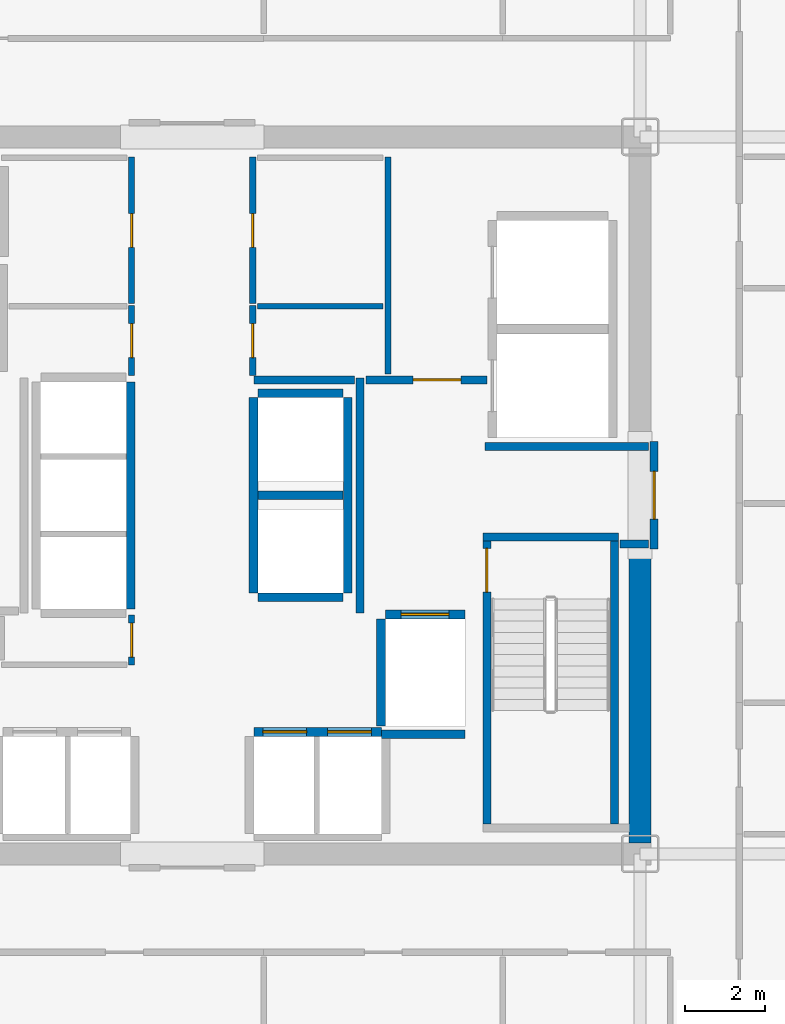
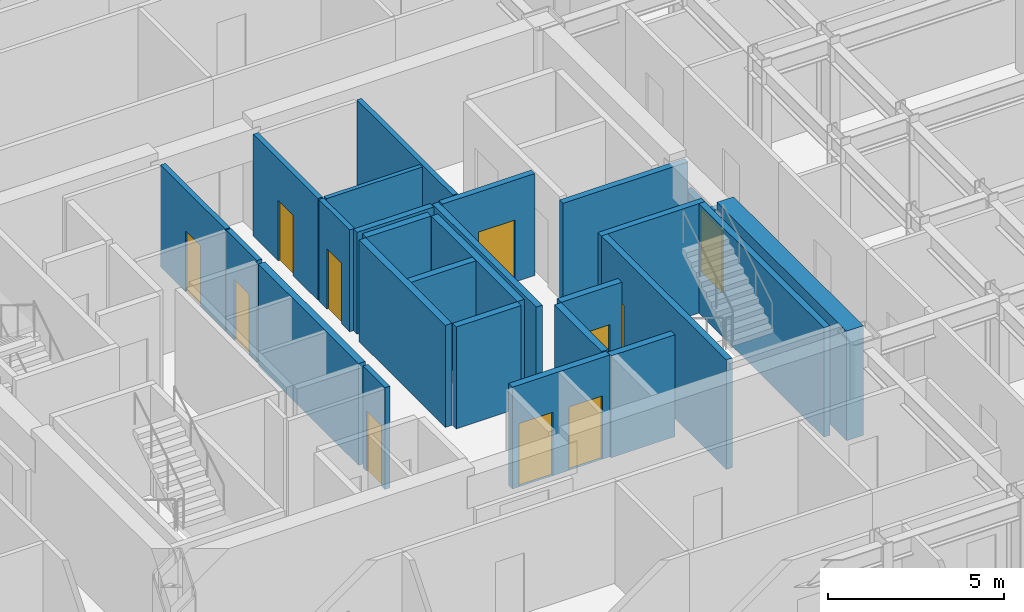
# One storey, part 21 of 26: 27 walls, 11 doors, 11 openings.
"""IFC4 building model written with IfcOpenShell, lengths in metres."""

from ifc_helpers import new_model, si_unit, direction, frame, frame_2d, origin, place, context, subcontext, project, spatial, rectangle, extrude, source, transform, mapped, material, layer, layer_set, type_object, element, fill, save


model = new_model("IFC4")

# Units and contexts
model_context = context("Model", 3, precision=1e-05, world=origin(), true_north=direction((0.0, 1.0)))
body_context = subcontext(model_context, "Body", "Model", "MODEL_VIEW")
ifc_project = project(units=[si_unit("LENGTHUNIT", "METRE"), si_unit("AREAUNIT", "SQUARE_METRE"), si_unit("VOLUMEUNIT", "CUBIC_METRE"), si_unit("PLANEANGLEUNIT", "RADIAN"), si_unit("MASSUNIT", "GRAM", prefix="KILO")], contexts=[model_context])

# Site, building, storey
site_placement = place(None, origin())
site = spatial("IfcSite", under=ifc_project, at=site_placement, CompositionType="ELEMENT")
building_placement = place(site_placement, origin())
building = spatial("IfcBuilding", under=site, at=building_placement, Name="Nefas-Gora Pilgrimage Tower", CompositionType="ELEMENT")
storey_placement = place(building_placement, frame((0.0, 0.0, 171.60009765625)))
storey = spatial("IfcBuildingStorey", under=building, at=storey_placement, Name="L42", CompositionType="ELEMENT", Elevation=171.60009765625)

# Walls
ifc_material_1 = material(Name="Concrete C60/75", Category="concrete")
ifc_layer_1 = layer(ifc_material_1, 0.550048828125)
ifc_layer_set_1 = layer_set([ifc_layer_1], Name="Concrete C60/75")
wall_type_1 = type_object("IfcWallType", Name="SW-CORE-550", PredefinedType="SHEAR", material=ifc_layer_set_1)
shared_shape_1 = source(origin(), body_context, "Body", "SweptSolid", [
    extrude(rectangle(XDim=7.375, YDim=0.550048828125, at=frame_2d((3.6875, 0.0))), origin(), (0.0, 0.0, 1.0), 3.7998046875),
])
wall_1_placement = place(storey_placement, frame((11.25, -8.72509765625, 0.0), z_axis=(0.0, 0.0, 1.0), x_axis=(0.0, 1.0, 0.0)))
element("IfcWall", 1, at=wall_1_placement, inside=storey, type_object=wall_type_1, Name="L42 Core Shear Wall E-South", PredefinedType="SHEAR", context=body_context, shape_type="MappedRepresentation", body=[
    mapped(shared_shape_1, transform((0.0, 0.0, 0.0), x_axis=(1.0, 0.0, 0.0), y_axis=(0.0, 1.0, 0.0), z_axis=(0.0, 0.0, 1.0), scale=1.0)),
])
ifc_material_2 = material(Name="Concrete C45/55", Category="concrete")
ifc_layer_2 = layer(ifc_material_2, 0.199951171875)
ifc_layer_set_2 = layer_set([ifc_layer_2], Name="Concrete C45/55")
wall_type_2 = type_object("IfcWallType", Name="IW-STAIR-200", PredefinedType="SOLIDWALL", material=ifc_layer_set_2)
shared_shape_2 = source(origin(), body_context, "Body", "SweptSolid", [
    extrude(rectangle(XDim=3.39990234375, YDim=0.199951171875, at=frame_2d((1.699951171875, 0.0))), origin(), (0.0, 0.0, 1.0), 3.7998046875),
])
wall_2_placement = place(storey_placement, frame((7.300048828125, -1.050048828125, 0.0), z_axis=(0.0, 0.0, 1.0), x_axis=(1.0, 0.0, 0.0)))
element("IfcWall", 2, at=wall_2_placement, inside=storey, type_object=wall_type_2, Name="L42 Stairwell Shear Wall ST-02-near", PredefinedType="SOLIDWALL", context=body_context, shape_type="MappedRepresentation", body=[
    mapped(shared_shape_2, transform((0.0, 0.0, 0.0), x_axis=(1.0, 0.0, 0.0), y_axis=(0.0, 1.0, 0.0), z_axis=(0.0, 0.0, 1.0), scale=1.0)),
])

# Wall, opening, door
shared_shape_3 = source(origin(), body_context, "Body", "SweptSolid", [
    extrude(rectangle(XDim=7.10009765625, YDim=0.199951171875, at=frame_2d((3.550048828125, 0.0))), origin(), (0.0, 0.0, 1.0), 3.7998046875),
])
wall_3_placement = place(storey_placement, frame((7.39990234375, -1.14990234375, 0.0), z_axis=(0.0, 0.0, 1.0), x_axis=(0.0, -1.0, 0.0)))
wall_3 = element("IfcWall", 3, at=wall_3_placement, inside=storey, type_object=wall_type_2, Name="L42 Stairwell Shear Wall ST-02-left", PredefinedType="SOLIDWALL", context=body_context, shape_type="MappedRepresentation", body=[
    mapped(shared_shape_3, transform((0.0, 0.0, 0.0), x_axis=(1.0, 0.0, 0.0), y_axis=(0.0, 1.0, 0.0), z_axis=(0.0, 0.0, 1.0), scale=1.0)),
])
opening_1_placement = place(wall_3_placement, frame((0.179931640625, 0.0, 0.0)))
opening_1 = element("IfcOpeningElement", 4, at=opening_1_placement, cuts=wall_3, Name="Opening ID-ST1", PredefinedType="OPENING", context=body_context, shape_type="SweptSolid", body=[
    extrude(rectangle(XDim=1.10009765625, YDim=2.14990234375, at=frame_2d((0.550048828125, 1.074951171875))), frame((0.0, 0.10986328125, 0.0), z_axis=(0.0, -1.0, 0.0), x_axis=(1.0, 0.0, 0.0)), (0.0, 0.0, 1.0), 0.219970703125),
])
ifc_material_3 = material(Name="Painted galvanised steel fire stair door", Category="steel")
door_type_1 = type_object("IfcDoorType", Name="DR-INT-STAIR-1100", OperationType="NOTDEFINED", PredefinedType="DOOR", material=ifc_material_3)
shared_shape_4 = source(origin(), body_context, "Body", "SweptSolid", [
    extrude(rectangle(XDim=1.10009765625, YDim=2.14990234375, at=frame_2d((0.550048828125, 1.074951171875))), frame((0.0, 0.02490234375, 0.0), z_axis=(0.0, -1.0, 0.0), x_axis=(1.0, 0.0, 0.0)), (0.0, 0.0, 1.0), 0.050048828125),
])
door_1_placement = place(opening_1_placement, origin())
door_1 = element("IfcDoor", 5, at=door_1_placement, inside=storey, type_object=door_type_1, Name="L42 Protected Exit Stair Door ST-02", OperationType="SINGLE_SWING_LEFT", OverallHeight=2.14990234375, OverallWidth=1.10009765625, PredefinedType="DOOR", context=body_context, shape_type="MappedRepresentation", body=[
    mapped(shared_shape_4, transform((0.0, 0.0, 0.0), x_axis=(1.0, 0.0, 0.0), y_axis=(0.0, 1.0, 0.0), z_axis=(0.0, 0.0, 1.0), scale=1.0)),
])
fill(opening_1, door_1)

# Wall
wall_4_placement = place(storey_placement, frame((10.60009765625, -1.14990234375, 0.0), z_axis=(0.0, 0.0, 1.0), x_axis=(0.0, -1.0, 0.0)))
element("IfcWall", 6, at=wall_4_placement, inside=storey, type_object=wall_type_2, Name="L42 Stairwell Shear Wall ST-02-right", PredefinedType="SOLIDWALL", context=body_context, shape_type="MappedRepresentation", body=[
    mapped(shared_shape_3, transform((0.0, 0.0, 0.0), x_axis=(1.0, 0.0, 0.0), y_axis=(0.0, 1.0, 0.0), z_axis=(0.0, 0.0, 1.0), scale=1.0)),
])

# Wall, opening, door
ifc_material_4 = material(Name="Concrete C40/50", Category="concrete")
ifc_layer_3 = layer(ifc_material_4, 0.219970703125)
ifc_layer_set_3 = layer_set([ifc_layer_3], Name="Concrete C40/50")
wall_type_3 = type_object("IfcWallType", Name="IW-SHAFT-220", PredefinedType="SOLIDWALL", material=ifc_layer_set_3)
shared_shape_5 = source(origin(), body_context, "Body", "SweptSolid", [
    extrude(rectangle(XDim=2.0, YDim=0.219970703125, at=frame_2d((1.0, 0.0))), origin(), (0.0, 0.0, 1.0), 3.534912109375),
])
wall_5_placement = place(storey_placement, frame((6.85009765625, -2.989990234375, 0.0), z_axis=(0.0, 0.0, 1.0), x_axis=(-1.0, 0.0, 0.0)))
wall_5 = element("IfcWall", 7, at=wall_5_placement, inside=storey, type_object=wall_type_3, Name="L42 Hoistway Wall FFL-02-N", PredefinedType="SOLIDWALL", context=body_context, shape_type="MappedRepresentation", body=[
    mapped(shared_shape_5, transform((0.0, 0.0, 0.0), x_axis=(1.0, 0.0, 0.0), y_axis=(0.0, 1.0, 0.0), z_axis=(0.0, 0.0, 1.0), scale=1.0)),
])
opening_2_placement = place(wall_5_placement, frame((0.39990234375, 0.0, 0.0)))
opening_2 = element("IfcOpeningElement", 8, at=opening_2_placement, cuts=wall_5, Name="Opening LD-FF", PredefinedType="OPENING", context=body_context, shape_type="SweptSolid", body=[
    extrude(rectangle(XDim=1.199951171875, YDim=2.199951171875, at=frame_2d((0.60009765625, 1.10009765625))), frame((0.0, 0.119873046875, 0.0), z_axis=(0.0, -1.0, 0.0), x_axis=(1.0, 0.0, 0.0)), (0.0, 0.0, 1.0), 0.239990234375),
])
ifc_material_5 = material(Name="Fire-service sliding lift landing door")
door_type_2 = type_object("IfcDoorType", Name="DR-LIFT-FSAE-1200", OperationType="SLIDING_TO_LEFT", PredefinedType="DOOR", material=ifc_material_5)
shared_shape_6 = source(origin(), body_context, "Body", "SweptSolid", [
    extrude(rectangle(XDim=1.199951171875, YDim=2.199951171875, at=frame_2d((0.60009765625, 1.10009765625))), frame((0.0, 0.02490234375, 0.0), z_axis=(0.0, -1.0, 0.0), x_axis=(1.0, 0.0, 0.0)), (0.0, 0.0, 1.0), 0.050048828125),
])
door_2_placement = place(opening_2_placement, origin())
door_2 = element("IfcDoor", 9, at=door_2_placement, inside=storey, type_object=door_type_2, Name="L42 Sliding Lift Landing Door FFL-02", OperationType="SLIDING_TO_LEFT", OverallHeight=2.199951171875, OverallWidth=1.199951171875, PredefinedType="DOOR", context=body_context, shape_type="MappedRepresentation", body=[
    mapped(shared_shape_6, transform((0.0, 0.0, 0.0), x_axis=(1.0, 0.0, 0.0), y_axis=(0.0, 1.0, 0.0), z_axis=(0.0, 0.0, 1.0), scale=1.0)),
])
fill(opening_2, door_2)

# Wall
shared_shape_7 = source(origin(), body_context, "Body", "SweptSolid", [
    extrude(rectangle(XDim=2.679931640625, YDim=0.219970703125, at=frame_2d((1.33984375, 0.0))), origin(), (0.0, 0.0, 1.0), 3.534912109375),
])
wall_6_placement = place(storey_placement, frame((4.739990234375, -3.110107421875, 0.0), z_axis=(0.0, 0.0, 1.0), x_axis=(0.0, -1.0, 0.0)))
element("IfcWall", 10, at=wall_6_placement, inside=storey, type_object=wall_type_3, Name="L42 Hoistway Wall FFL-02-W", PredefinedType="SOLIDWALL", context=body_context, shape_type="MappedRepresentation", body=[
    mapped(shared_shape_7, transform((0.0, 0.0, 0.0), x_axis=(1.0, 0.0, 0.0), y_axis=(0.0, 1.0, 0.0), z_axis=(0.0, 0.0, 1.0), scale=1.0)),
])

# Wall, openings, doors
shared_shape_8 = source(origin(), body_context, "Body", "SweptSolid", [
    extrude(rectangle(XDim=3.199951171875, YDim=0.219970703125, at=frame_2d((1.60009765625, 0.0))), origin(), (0.0, 0.0, 1.0), 3.534912109375),
])
wall_7_placement = place(storey_placement, frame((4.75, -5.93994140625, 0.0), z_axis=(0.0, 0.0, 1.0), x_axis=(-1.0, 0.0, 0.0)))
wall_7 = element("IfcWall", 11, at=wall_7_placement, inside=storey, type_object=wall_type_3, Name="L42 Hoistway Wall PL2-E-N", PredefinedType="SOLIDWALL", context=body_context, shape_type="MappedRepresentation", body=[
    mapped(shared_shape_8, transform((0.0, 0.0, 0.0), x_axis=(1.0, 0.0, 0.0), y_axis=(0.0, 1.0, 0.0), z_axis=(0.0, 0.0, 1.0), scale=1.0)),
])
opening_3_placement = place(wall_7_placement, frame((1.875, 0.0, 0.0)))
opening_3 = element("IfcOpeningElement", 12, at=opening_3_placement, cuts=wall_7, Name="Opening LD-01", PredefinedType="OPENING", context=body_context, shape_type="SweptSolid", body=[
    extrude(rectangle(XDim=1.10009765625, YDim=2.199951171875, at=frame_2d((0.550048828125, 1.10009765625))), frame((0.0, 0.119873046875, 0.0), z_axis=(0.0, -1.0, 0.0), x_axis=(1.0, 0.0, 0.0)), (0.0, 0.0, 1.0), 0.239990234375),
])
opening_4_placement = place(wall_7_placement, frame((0.25, 0.0, 0.0)))
opening_4 = element("IfcOpeningElement", 13, at=opening_4_placement, cuts=wall_7, Name="Opening LD-01", PredefinedType="OPENING", context=body_context, shape_type="SweptSolid", body=[
    extrude(rectangle(XDim=1.10009765625, YDim=2.199951171875, at=frame_2d((0.550048828125, 1.10009765625))), frame((0.0, 0.119873046875, 0.0), z_axis=(0.0, -1.0, 0.0), x_axis=(1.0, 0.0, 0.0)), (0.0, 0.0, 1.0), 0.239990234375),
])
ifc_material_6 = material(Name="Brushed stainless sliding lift landing door")
door_type_3 = type_object("IfcDoorType", Name="DR-LIFT-PASS-1100", OperationType="DOUBLE_DOOR_SLIDING", PredefinedType="DOOR", material=ifc_material_6)
shared_shape_9 = source(origin(), body_context, "Body", "SweptSolid", [
    extrude(rectangle(XDim=1.10009765625, YDim=2.199951171875, at=frame_2d((0.550048828125, 1.10009765625))), frame((0.0, 0.02490234375, 0.0), z_axis=(0.0, -1.0, 0.0), x_axis=(1.0, 0.0, 0.0)), (0.0, 0.0, 1.0), 0.050048828125),
])
door_3_placement = place(opening_3_placement, origin())
door_3 = element("IfcDoor", 14, at=door_3_placement, inside=storey, type_object=door_type_3, Name="L42 Sliding Lift Landing Door PL2-03", OperationType="DOUBLE_DOOR_SLIDING", OverallHeight=2.199951171875, OverallWidth=1.10009765625, PredefinedType="DOOR", context=body_context, shape_type="MappedRepresentation", body=[
    mapped(shared_shape_9, transform((0.0, 0.0, 0.0), x_axis=(1.0, 0.0, 0.0), y_axis=(0.0, 1.0, 0.0), z_axis=(0.0, 0.0, 1.0), scale=1.0)),
])
fill(opening_3, door_3)
door_4_placement = place(opening_4_placement, origin())
door_4 = element("IfcDoor", 15, at=door_4_placement, inside=storey, type_object=door_type_3, Name="L42 Sliding Lift Landing Door PL2-04", OperationType="DOUBLE_DOOR_SLIDING", OverallHeight=2.199951171875, OverallWidth=1.10009765625, PredefinedType="DOOR", context=body_context, shape_type="MappedRepresentation", body=[
    mapped(shared_shape_9, transform((0.0, 0.0, 0.0), x_axis=(1.0, 0.0, 0.0), y_axis=(0.0, 1.0, 0.0), z_axis=(0.0, 0.0, 1.0), scale=1.0)),
])
fill(opening_4, door_4)

# Walls
shared_shape_10 = source(origin(), body_context, "Body", "SweptSolid", [
    extrude(rectangle(XDim=5.7001953125, YDim=0.219970703125, at=frame_2d((2.85009765625, 0.0))), origin(), (0.0, 0.0, 1.0), 3.534912109375),
])
wall_8_placement = place(storey_placement, frame((-1.5400390625, -2.85009765625, 0.0), z_axis=(0.0, 0.0, 1.0), x_axis=(0.0, 1.0, 0.0)))
element("IfcWall", 16, at=wall_8_placement, inside=storey, type_object=wall_type_3, Name="L42 Hoistway Wall PL3-01-03-E", PredefinedType="SOLIDWALL", context=body_context, shape_type="MappedRepresentation", body=[
    mapped(shared_shape_10, transform((0.0, 0.0, 0.0), x_axis=(1.0, 0.0, 0.0), y_axis=(0.0, 1.0, 0.0), z_axis=(0.0, 0.0, 1.0), scale=1.0)),
])
shared_shape_11 = source(origin(), body_context, "Body", "SweptSolid", [
    extrude(rectangle(XDim=2.130126953125, YDim=0.219970703125, at=frame_2d((1.06494140625, 0.0))), origin(), (0.0, 0.0, 1.0), 3.534912109375),
])
for number, where, z_axis, x_axis, name in (
    (17, (1.659912109375, -2.56005859375, 0.0), (0.0, 0.0, 1.0), (1.0, 0.0, 0.0), "L42 Hoistway Wall OBS-01-S"),
    (18, (1.659912109375, 0.0, 0.0), (0.0, 0.0, 1.0), (1.0, 0.0, 0.0), "L42 Hoistway Wall OBS-01-02-DIV"),
    (19, (3.7900390625, 2.56005859375, 0.0), (0.0, 0.0, 1.0), (-1.0, 0.0, 0.0), "L42 Hoistway Wall OBS-02-N"),
):
    element("IfcWall", number, at=place(storey_placement, frame(where, z_axis=z_axis, x_axis=x_axis)), inside=storey, type_object=wall_type_3, Name=name, PredefinedType="SOLIDWALL", context=body_context, shape_type="MappedRepresentation", body=[
        mapped(shared_shape_11, transform((0.0, 0.0, 0.0), x_axis=(1.0, 0.0, 0.0), y_axis=(0.0, 1.0, 0.0), z_axis=(0.0, 0.0, 1.0), scale=1.0)),
    ])
shared_shape_12 = source(origin(), body_context, "Body", "SweptSolid", [
    extrude(rectangle(XDim=4.89990234375, YDim=0.219970703125, at=frame_2d((2.449951171875, 0.0))), origin(), (0.0, 0.0, 1.0), 3.534912109375),
])
for number, where, z_axis, x_axis, name in (
    (20, (1.5400390625, 2.449951171875, 0.0), (0.0, 0.0, 1.0), (0.0, -1.0, 0.0), "L42 Hoistway Wall OBS-01-02-W"),
    (21, (3.909912109375, -2.449951171875, 0.0), (0.0, 0.0, 1.0), (0.0, 1.0, 0.0), "L42 Hoistway Wall OBS-01-02-E"),
):
    element("IfcWall", number, at=place(storey_placement, frame(where, z_axis=z_axis, x_axis=x_axis)), inside=storey, type_object=wall_type_3, Name=name, PredefinedType="SOLIDWALL", context=body_context, shape_type="MappedRepresentation", body=[
        mapped(shared_shape_12, transform((0.0, 0.0, 0.0), x_axis=(1.0, 0.0, 0.0), y_axis=(0.0, 1.0, 0.0), z_axis=(0.0, 0.0, 1.0), scale=1.0)),
    ])
shared_shape_13 = source(origin(), body_context, "Body", "SweptSolid", [
    extrude(rectangle(XDim=2.09521484375, YDim=0.219970703125, at=frame_2d((1.047607421875, 0.0))), origin(), (0.0, 0.0, 1.0), 3.534912109375),
])
wall_9_placement = place(storey_placement, frame((4.7548828125, -6.0, 0.0), z_axis=(0.0, 0.0, 1.0), x_axis=(1.0, 0.0, 0.0)))
element("IfcWall", 22, at=wall_9_placement, inside=storey, type_object=wall_type_3, Name="L42 Riser Shaft Wall 3", PredefinedType="SOLIDWALL", context=body_context, shape_type="MappedRepresentation", body=[
    mapped(shared_shape_13, transform((0.0, 0.0, 0.0), x_axis=(1.0, 0.0, 0.0), y_axis=(0.0, 1.0, 0.0), z_axis=(0.0, 0.0, 1.0), scale=1.0)),
])
ifc_material_7 = material(Name="Gypsum fire-rated shaftwall")
ifc_layer_4 = layer(ifc_material_7, 0.199951171875)
ifc_layer_set_4 = layer_set([ifc_layer_4], Name="Gypsum fire-rated shaftwall")
wall_type_4 = type_object("IfcWallType", Name="IW-FFLOB-200", PredefinedType="PARTITIONING", material=ifc_layer_set_4)
shared_shape_14 = source(origin(), body_context, "Body", "SweptSolid", [
    extrude(rectangle(XDim=5.89990234375, YDim=0.199951171875, at=frame_2d((2.949951171875, 0.0))), origin(), (0.0, 0.0, 1.0), 3.534912109375),
])
wall_10_placement = place(storey_placement, frame((4.219970703125, -2.949951171875, 0.0), z_axis=(0.0, 0.0, 1.0), x_axis=(0.0, 1.0, 0.0)))
element("IfcWall", 23, at=wall_10_placement, inside=storey, type_object=wall_type_4, Name="L42 FF Lobby East Inner Wall Wall 10", PredefinedType="PARTITIONING", context=body_context, shape_type="MappedRepresentation", body=[
    mapped(shared_shape_14, transform((0.0, 0.0, 0.0), x_axis=(1.0, 0.0, 0.0), y_axis=(0.0, 1.0, 0.0), z_axis=(0.0, 0.0, 1.0), scale=1.0)),
])
shared_shape_15 = source(origin(), body_context, "Body", "SweptSolid", [
    extrude(rectangle(XDim=0.719970703125, YDim=0.199951171875, at=frame_2d((0.35986328125, 0.0))), origin(), (0.0, 0.0, 1.0), 3.534912109375),
])
wall_11_placement = place(storey_placement, frame((10.739990234375, -1.219970703125, 0.0), z_axis=(0.0, 0.0, 1.0), x_axis=(1.0, 0.0, 0.0)))
element("IfcWall", 24, at=wall_11_placement, inside=storey, type_object=wall_type_4, Name="L42 FF Lobby East Throat S Wall 14", PredefinedType="PARTITIONING", context=body_context, shape_type="MappedRepresentation", body=[
    mapped(shared_shape_15, transform((0.0, 0.0, 0.0), x_axis=(1.0, 0.0, 0.0), y_axis=(0.0, 1.0, 0.0), z_axis=(0.0, 0.0, 1.0), scale=1.0)),
])

# Wall, opening, door
shared_shape_16 = source(origin(), body_context, "Body", "SweptSolid", [
    extrude(rectangle(XDim=3.039794921875, YDim=0.199951171875, at=frame_2d((1.52001953125, 0.0))), origin(), (0.0, 0.0, 1.0), 3.534912109375),
])
wall_12_placement = place(storey_placement, frame((4.360107421875, 2.89990234375, 0.0), z_axis=(0.0, 0.0, 1.0), x_axis=(1.0, 0.0, 0.0)))
wall_12 = element("IfcWall", 25, at=wall_12_placement, inside=storey, type_object=wall_type_4, Name="L42 FF Lobby East North Wall Wall 12", PredefinedType="PARTITIONING", context=body_context, shape_type="MappedRepresentation", body=[
    mapped(shared_shape_16, transform((0.0, 0.0, 0.0), x_axis=(1.0, 0.0, 0.0), y_axis=(0.0, 1.0, 0.0), z_axis=(0.0, 0.0, 1.0), scale=1.0)),
])
opening_5_placement = place(wall_12_placement, frame((1.18994140625, 0.0, 0.0)))
opening_5 = element("IfcOpeningElement", 26, at=opening_5_placement, cuts=wall_12, Name="Opening ID-PL1", PredefinedType="OPENING", context=body_context, shape_type="SweptSolid", body=[
    extrude(rectangle(XDim=1.199951171875, YDim=2.14990234375, at=frame_2d((0.60009765625, 1.074951171875))), frame((0.0, 0.10986328125, 0.0), z_axis=(0.0, -1.0, 0.0), x_axis=(1.0, 0.0, 0.0)), (0.0, 0.0, 1.0), 0.219970703125),
])
ifc_material_8 = material(Name="Heavy-duty steel plant room fire door", Category="steel")
door_type_4 = type_object("IfcDoorType", Name="DR-INT-PLANT-1200", OperationType="NOTDEFINED", PredefinedType="DOOR", material=ifc_material_8)
shared_shape_17 = source(origin(), body_context, "Body", "SweptSolid", [
    extrude(rectangle(XDim=1.199951171875, YDim=2.14990234375, at=frame_2d((0.60009765625, 1.074951171875))), frame((0.0, 0.02490234375, 0.0), z_axis=(0.0, -1.0, 0.0), x_axis=(1.0, 0.0, 0.0)), (0.0, 0.0, 1.0), 0.050048828125),
])
door_5_placement = place(opening_5_placement, origin())
door_5 = element("IfcDoor", 27, at=door_5_placement, inside=storey, type_object=door_type_4, Name="L42 Service Lift Lobby Door Door 4", OperationType="SINGLE_SWING_LEFT", OverallHeight=2.14990234375, OverallWidth=1.199951171875, PredefinedType="DOOR", context=body_context, shape_type="MappedRepresentation", body=[
    mapped(shared_shape_17, transform((0.0, 0.0, 0.0), x_axis=(1.0, 0.0, 0.0), y_axis=(0.0, 1.0, 0.0), z_axis=(0.0, 0.0, 1.0), scale=1.0)),
])
fill(opening_5, door_5)

# Wall
shared_shape_18 = source(origin(), body_context, "Body", "SweptSolid", [
    extrude(rectangle(XDim=4.10986328125, YDim=0.199951171875, at=frame_2d((2.054931640625, 0.0))), origin(), (0.0, 0.0, 1.0), 3.534912109375),
])
wall_13_placement = place(storey_placement, frame((7.35009765625, 1.219970703125, 0.0), z_axis=(0.0, 0.0, 1.0), x_axis=(1.0, 0.0, 0.0)))
element("IfcWall", 28, at=wall_13_placement, inside=storey, type_object=wall_type_4, Name="L42 FF Lobby East Throat N Wall 13", PredefinedType="PARTITIONING", context=body_context, shape_type="MappedRepresentation", body=[
    mapped(shared_shape_18, transform((0.0, 0.0, 0.0), x_axis=(1.0, 0.0, 0.0), y_axis=(0.0, 1.0, 0.0), z_axis=(0.0, 0.0, 1.0), scale=1.0)),
])

# Wall, opening, door
ifc_material_9 = material(Name="Gypsum acoustic stud partition")
ifc_layer_5 = layer(ifc_material_9, 0.159912109375)
ifc_layer_set_5 = layer_set([ifc_layer_5], Name="Gypsum acoustic stud partition")
wall_type_5 = type_object("IfcWallType", Name="IW-CORR-160", PredefinedType="PARTITIONING", material=ifc_layer_set_5)
shared_shape_19 = source(origin(), body_context, "Body", "SweptSolid", [
    extrude(rectangle(XDim=1.25, YDim=0.159912109375, at=frame_2d((0.625, 0.0))), origin(), (0.0, 0.0, 1.0), 3.534912109375),
])
wall_14_placement = place(storey_placement, frame((-1.52001953125, -4.260009765625, 0.0), z_axis=(0.0, 0.0, 1.0), x_axis=(0.0, 1.0, 0.0)))
wall_14 = element("IfcWall", 29, at=wall_14_placement, inside=storey, type_object=wall_type_5, Name="L42 Guest Self-Service Laundry Room Wall 26", PredefinedType="PARTITIONING", context=body_context, shape_type="MappedRepresentation", body=[
    mapped(shared_shape_19, transform((0.0, 0.0, 0.0), x_axis=(1.0, 0.0, 0.0), y_axis=(0.0, 1.0, 0.0), z_axis=(0.0, 0.0, 1.0), scale=1.0)),
])
opening_6_placement = place(wall_14_placement, frame((0.199951171875, 0.0, 0.0)))
opening_6 = element("IfcOpeningElement", 30, at=opening_6_placement, cuts=wall_14, Name="Opening ID-BT1", PredefinedType="OPENING", context=body_context, shape_type="SweptSolid", body=[
    extrude(rectangle(XDim=0.85009765625, YDim=2.10009765625, at=frame_2d((0.425048828125, 1.050048828125))), frame((0.0, 0.08984375, 0.0), z_axis=(0.0, -1.0, 0.0), x_axis=(1.0, 0.0, 0.0)), (0.0, 0.0, 1.0), 0.179931640625),
])
ifc_material_10 = material(Name="Moisture-resistant fire-rated timber door", Category="wood")
door_type_5 = type_object("IfcDoorType", Name="DR-INT-BATH-850", OperationType="NOTDEFINED", PredefinedType="DOOR", material=ifc_material_10)
shared_shape_20 = source(origin(), body_context, "Body", "SweptSolid", [
    extrude(rectangle(XDim=0.85009765625, YDim=2.10009765625, at=frame_2d((0.425048828125, 1.050048828125))), frame((0.0, 0.02490234375, 0.0), z_axis=(0.0, -1.0, 0.0), x_axis=(1.0, 0.0, 0.0)), (0.0, 0.0, 1.0), 0.050048828125),
])
door_6_placement = place(opening_6_placement, origin())
door_6 = element("IfcDoor", 31, at=door_6_placement, inside=storey, type_object=door_type_5, Name="L42 Guest Self-Service Laundry Room Door 11", OperationType="SINGLE_SWING_RIGHT", OverallHeight=2.10009765625, OverallWidth=0.85009765625, PredefinedType="DOOR", context=body_context, shape_type="MappedRepresentation", body=[
    mapped(shared_shape_20, transform((0.0, 0.0, 0.0), x_axis=(1.0, 0.0, 0.0), y_axis=(0.0, 1.0, 0.0), z_axis=(0.0, 0.0, 1.0), scale=1.0)),
])
fill(opening_6, door_6)

shared_shape_21 = source(origin(), body_context, "Body", "SweptSolid", [
    extrude(rectangle(XDim=2.7001953125, YDim=0.199951171875, at=frame_2d((1.35009765625, 0.0))), origin(), (0.0, 0.0, 1.0), 2.4248046875),
])
wall_15_placement = place(storey_placement, frame((11.60009765625, -1.35009765625, 0.0), z_axis=(0.0, 0.0, 1.0), x_axis=(0.0, 1.0, 0.0)))
wall_15 = element("IfcWall", 32, at=wall_15_placement, inside=storey, type_object=wall_type_4, Name="L42 FF Lobby East Portal Wall 9", PredefinedType="PARTITIONING", context=body_context, shape_type="MappedRepresentation", body=[
    mapped(shared_shape_21, transform((0.0, 0.0, 0.0), x_axis=(1.0, 0.0, 0.0), y_axis=(0.0, 1.0, 0.0), z_axis=(0.0, 0.0, 1.0), scale=1.0)),
])
opening_7_placement = place(wall_15_placement, frame((0.75, 0.0, 0.0)))
opening_7 = element("IfcOpeningElement", 33, at=opening_7_placement, cuts=wall_15, Name="Opening ID-FF1", PredefinedType="OPENING", context=body_context, shape_type="SweptSolid", body=[
    extrude(rectangle(XDim=1.199951171875, YDim=2.14990234375, at=frame_2d((0.60009765625, 1.074951171875))), frame((0.0, 0.10986328125, 0.0), z_axis=(0.0, -1.0, 0.0), x_axis=(1.0, 0.0, 0.0)), (0.0, 0.0, 1.0), 0.219970703125),
])
ifc_material_11 = material(Name="Smoke-sealed steel firefighting lobby door", Category="steel")
door_type_6 = type_object("IfcDoorType", Name="DR-INT-FFLOB-1200", OperationType="NOTDEFINED", PredefinedType="DOOR", material=ifc_material_11)
door_7_placement = place(opening_7_placement, origin())
door_7 = element("IfcDoor", 34, at=door_7_placement, inside=storey, type_object=door_type_6, Name="L42 FF Lobby East Portal Door 3", OperationType="SINGLE_SWING_RIGHT", OverallHeight=2.14990234375, OverallWidth=1.199951171875, PredefinedType="DOOR", context=body_context, shape_type="MappedRepresentation", body=[
    mapped(shared_shape_17, transform((0.0, 0.0, 0.0), x_axis=(1.0, 0.0, 0.0), y_axis=(0.0, 1.0, 0.0), z_axis=(0.0, 0.0, 1.0), scale=1.0)),
])
fill(opening_7, door_7)

# Walls
ifc_material_12 = material(Name="Gypsum twin-stud partition")
ifc_layer_6 = layer(ifc_material_12, 0.139892578125)
ifc_layer_set_6 = layer_set([ifc_layer_6], Name="Gypsum twin-stud partition")
wall_type_6 = type_object("IfcWallType", Name="IW-UNIT-140", PredefinedType="PARTITIONING", material=ifc_layer_set_6)
shared_shape_22 = source(origin(), body_context, "Body", "SweptSolid", [
    extrude(rectangle(XDim=3.150146484375, YDim=0.139892578125, at=frame_2d((1.5751953125, 0.0))), origin(), (0.0, 0.0, 1.0), 3.534912109375),
])
wall_16_placement = place(storey_placement, frame((1.639892578125, 4.75, 0.0), z_axis=(0.0, 0.0, 1.0), x_axis=(1.0, 0.0, 0.0)))
element("IfcWall", 35, at=wall_16_placement, inside=storey, type_object=wall_type_6, Name="L42 Clean Blanket and Robe Store Partition Wall 23", PredefinedType="PARTITIONING", context=body_context, shape_type="MappedRepresentation", body=[
    mapped(shared_shape_22, transform((0.0, 0.0, 0.0), x_axis=(1.0, 0.0, 0.0), y_axis=(0.0, 1.0, 0.0), z_axis=(0.0, 0.0, 1.0), scale=1.0)),
])
shared_shape_23 = source(origin(), body_context, "Body", "SweptSolid", [
    extrude(rectangle(XDim=2.52001953125, YDim=0.199951171875, at=frame_2d((1.260009765625, 0.0))), origin(), (0.0, 0.0, 1.0), 3.534912109375),
])
wall_17_placement = place(storey_placement, frame((1.56005859375, 2.89990234375, 0.0), z_axis=(0.0, 0.0, 1.0), x_axis=(1.0, 0.0, 0.0)))
element("IfcWall", 36, at=wall_17_placement, inside=storey, type_object=wall_type_4, Name="L42 FF Lobby East North Wall Wall 11", PredefinedType="PARTITIONING", context=body_context, shape_type="MappedRepresentation", body=[
    mapped(shared_shape_23, transform((0.0, 0.0, 0.0), x_axis=(1.0, 0.0, 0.0), y_axis=(0.0, 1.0, 0.0), z_axis=(0.0, 0.0, 1.0), scale=1.0)),
])
shared_shape_24 = source(origin(), body_context, "Body", "SweptSolid", [
    extrude(rectangle(XDim=5.449951171875, YDim=0.159912109375, at=frame_2d((2.72509765625, 0.0))), origin(), (0.0, 0.0, 1.0), 3.534912109375),
])
wall_18_placement = place(storey_placement, frame((4.919921875, 3.0400390625, 0.0), z_axis=(0.0, 0.0, 1.0), x_axis=(0.0, 1.0, 0.0)))
element("IfcWall", 37, at=wall_18_placement, inside=storey, type_object=wall_type_5, Name="L42 Service Lift Lobby West Wall Wall 17", PredefinedType="PARTITIONING", context=body_context, shape_type="MappedRepresentation", body=[
    mapped(shared_shape_24, transform((0.0, 0.0, 0.0), x_axis=(1.0, 0.0, 0.0), y_axis=(0.0, 1.0, 0.0), z_axis=(0.0, 0.0, 1.0), scale=1.0)),
])

# Wall, opening, door
shared_shape_25 = source(origin(), body_context, "Body", "SweptSolid", [
    extrude(rectangle(XDim=1.75, YDim=0.159912109375, at=frame_2d((0.875, 0.0))), origin(), (0.0, 0.0, 1.0), 3.534912109375),
])
wall_19_placement = place(storey_placement, frame((-1.52001953125, 3.010009765625, 0.0), z_axis=(0.0, 0.0, 1.0), x_axis=(0.0, 1.0, 0.0)))
wall_19 = element("IfcWall", 38, at=wall_19_placement, inside=storey, type_object=wall_type_5, Name="L42 Housekeeping and Linen Store Wall 18", PredefinedType="PARTITIONING", context=body_context, shape_type="MappedRepresentation", body=[
    mapped(shared_shape_25, transform((0.0, 0.0, 0.0), x_axis=(1.0, 0.0, 0.0), y_axis=(0.0, 1.0, 0.0), z_axis=(0.0, 0.0, 1.0), scale=1.0)),
])
opening_8_placement = place(wall_19_placement, frame((0.449951171875, 0.0, 0.0)))
opening_8 = element("IfcOpeningElement", 39, at=opening_8_placement, cuts=wall_19, Name="Opening ID-BT1", PredefinedType="OPENING", context=body_context, shape_type="SweptSolid", body=[
    extrude(rectangle(XDim=0.85009765625, YDim=2.10009765625, at=frame_2d((0.425048828125, 1.050048828125))), frame((0.0, 0.08984375, 0.0), z_axis=(0.0, -1.0, 0.0), x_axis=(1.0, 0.0, 0.0)), (0.0, 0.0, 1.0), 0.179931640625),
])
door_8_placement = place(opening_8_placement, origin())
door_8 = element("IfcDoor", 40, at=door_8_placement, inside=storey, type_object=door_type_5, Name="L42 Housekeeping and Linen Store Door 7", OperationType="SINGLE_SWING_RIGHT", OverallHeight=2.10009765625, OverallWidth=0.85009765625, PredefinedType="DOOR", context=body_context, shape_type="MappedRepresentation", body=[
    mapped(shared_shape_20, transform((0.0, 0.0, 0.0), x_axis=(1.0, 0.0, 0.0), y_axis=(0.0, 1.0, 0.0), z_axis=(0.0, 0.0, 1.0), scale=1.0)),
])
fill(opening_8, door_8)

wall_20_placement = place(storey_placement, frame((1.52001953125, 3.010009765625, 0.0), z_axis=(0.0, 0.0, 1.0), x_axis=(0.0, 1.0, 0.0)))
wall_20 = element("IfcWall", 41, at=wall_20_placement, inside=storey, type_object=wall_type_5, Name="L42 Clean Blanket and Robe Store Wall 22", PredefinedType="PARTITIONING", context=body_context, shape_type="MappedRepresentation", body=[
    mapped(shared_shape_25, transform((0.0, 0.0, 0.0), x_axis=(1.0, 0.0, 0.0), y_axis=(0.0, 1.0, 0.0), z_axis=(0.0, 0.0, 1.0), scale=1.0)),
])
opening_9_placement = place(wall_20_placement, frame((0.449951171875, 0.0, 0.0)))
opening_9 = element("IfcOpeningElement", 42, at=opening_9_placement, cuts=wall_20, Name="Opening ID-BT1", PredefinedType="OPENING", context=body_context, shape_type="SweptSolid", body=[
    extrude(rectangle(XDim=0.85009765625, YDim=2.10009765625, at=frame_2d((0.425048828125, 1.050048828125))), frame((0.0, 0.08984375, 0.0), z_axis=(0.0, -1.0, 0.0), x_axis=(1.0, 0.0, 0.0)), (0.0, 0.0, 1.0), 0.179931640625),
])
door_9_placement = place(opening_9_placement, origin())
door_9 = element("IfcDoor", 43, at=door_9_placement, inside=storey, type_object=door_type_5, Name="L42 Clean Blanket and Robe Store Door 9", OperationType="SINGLE_SWING_RIGHT", OverallHeight=2.10009765625, OverallWidth=0.85009765625, PredefinedType="DOOR", context=body_context, shape_type="MappedRepresentation", body=[
    mapped(shared_shape_20, transform((0.0, 0.0, 0.0), x_axis=(1.0, 0.0, 0.0), y_axis=(0.0, 1.0, 0.0), z_axis=(0.0, 0.0, 1.0), scale=1.0)),
])
fill(opening_9, door_9)

shared_shape_26 = source(origin(), body_context, "Body", "SweptSolid", [
    extrude(rectangle(XDim=3.679931640625, YDim=0.159912109375, at=frame_2d((1.83984375, 0.0))), origin(), (0.0, 0.0, 1.0), 3.534912109375),
])
wall_21_placement = place(storey_placement, frame((-1.52001953125, 4.81005859375, 0.0), z_axis=(0.0, 0.0, 1.0), x_axis=(0.0, 1.0, 0.0)))
wall_21 = element("IfcWall", 44, at=wall_21_placement, inside=storey, type_object=wall_type_5, Name="L42 Archival Supply Store Wall 20", PredefinedType="PARTITIONING", context=body_context, shape_type="MappedRepresentation", body=[
    mapped(shared_shape_26, transform((0.0, 0.0, 0.0), x_axis=(1.0, 0.0, 0.0), y_axis=(0.0, 1.0, 0.0), z_axis=(0.0, 0.0, 1.0), scale=1.0)),
])
opening_10_placement = place(wall_21_placement, frame((1.4150390625, 0.0, 0.0)))
opening_10 = element("IfcOpeningElement", 45, at=opening_10_placement, cuts=wall_21, Name="Opening ID-BT1", PredefinedType="OPENING", context=body_context, shape_type="SweptSolid", body=[
    extrude(rectangle(XDim=0.85009765625, YDim=2.10009765625, at=frame_2d((0.425048828125, 1.050048828125))), frame((0.0, 0.08984375, 0.0), z_axis=(0.0, -1.0, 0.0), x_axis=(1.0, 0.0, 0.0)), (0.0, 0.0, 1.0), 0.179931640625),
])
door_10_placement = place(opening_10_placement, origin())
door_10 = element("IfcDoor", 46, at=door_10_placement, inside=storey, type_object=door_type_5, Name="L42 Archival Supply Store Door 8", OperationType="SINGLE_SWING_LEFT", OverallHeight=2.10009765625, OverallWidth=0.85009765625, PredefinedType="DOOR", context=body_context, shape_type="MappedRepresentation", body=[
    mapped(shared_shape_20, transform((0.0, 0.0, 0.0), x_axis=(1.0, 0.0, 0.0), y_axis=(0.0, 1.0, 0.0), z_axis=(0.0, 0.0, 1.0), scale=1.0)),
])
fill(opening_10, door_10)

wall_22_placement = place(storey_placement, frame((1.52001953125, 4.81005859375, 0.0), z_axis=(0.0, 0.0, 1.0), x_axis=(0.0, 1.0, 0.0)))
wall_22 = element("IfcWall", 47, at=wall_22_placement, inside=storey, type_object=wall_type_5, Name="L42 Amenity Supply Store Wall 24", PredefinedType="PARTITIONING", context=body_context, shape_type="MappedRepresentation", body=[
    mapped(shared_shape_26, transform((0.0, 0.0, 0.0), x_axis=(1.0, 0.0, 0.0), y_axis=(0.0, 1.0, 0.0), z_axis=(0.0, 0.0, 1.0), scale=1.0)),
])
opening_11_placement = place(wall_22_placement, frame((1.4150390625, 0.0, 0.0)))
opening_11 = element("IfcOpeningElement", 48, at=opening_11_placement, cuts=wall_22, Name="Opening ID-BT1", PredefinedType="OPENING", context=body_context, shape_type="SweptSolid", body=[
    extrude(rectangle(XDim=0.85009765625, YDim=2.10009765625, at=frame_2d((0.425048828125, 1.050048828125))), frame((0.0, 0.08984375, 0.0), z_axis=(0.0, -1.0, 0.0), x_axis=(1.0, 0.0, 0.0)), (0.0, 0.0, 1.0), 0.179931640625),
])
door_11_placement = place(opening_11_placement, origin())
door_11 = element("IfcDoor", 49, at=door_11_placement, inside=storey, type_object=door_type_5, Name="L42 Amenity Supply Store Door 10", OperationType="SINGLE_SWING_LEFT", OverallHeight=2.10009765625, OverallWidth=0.85009765625, PredefinedType="DOOR", context=body_context, shape_type="MappedRepresentation", body=[
    mapped(shared_shape_20, transform((0.0, 0.0, 0.0), x_axis=(1.0, 0.0, 0.0), y_axis=(0.0, 1.0, 0.0), z_axis=(0.0, 0.0, 1.0), scale=1.0)),
])
fill(opening_11, door_11)

save(model, "model.ifc")
